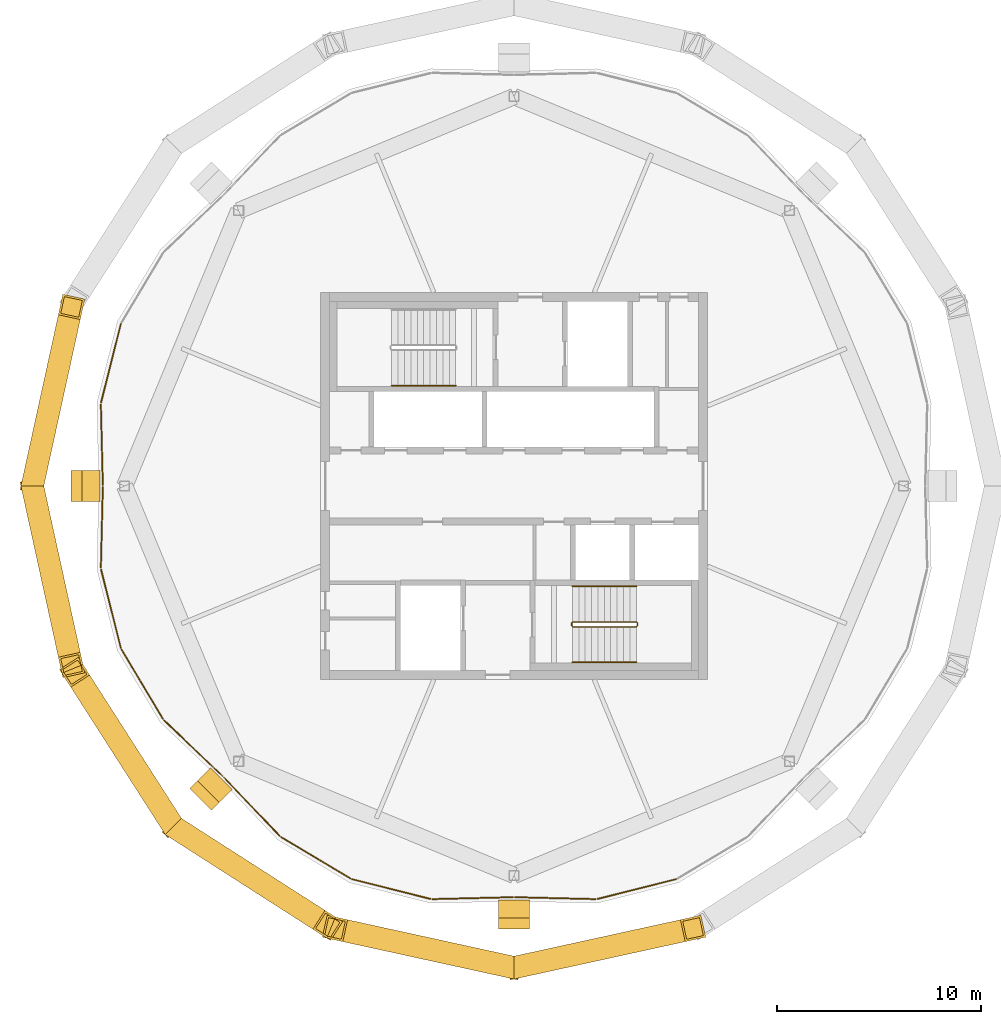
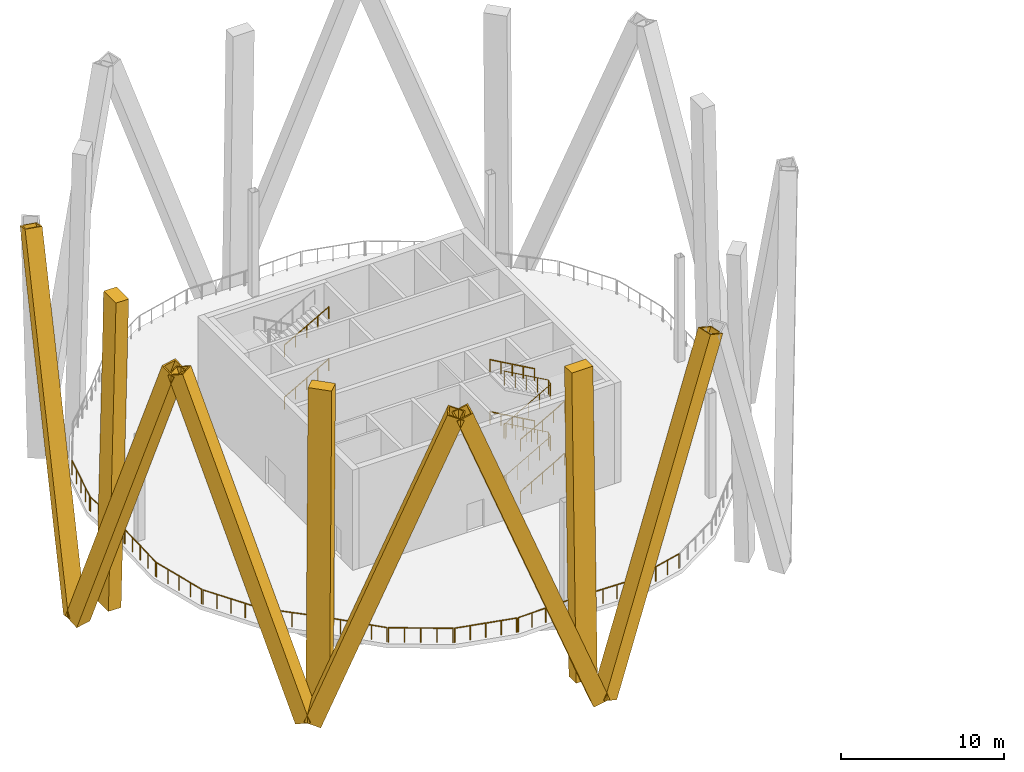
# One storey, part 9 of 13: 19 railings, 9 coverings.
"""IFC4 building model written with IfcOpenShell, lengths in metres."""

from ifc_helpers import new_model, si_unit, direction, frame, origin, origin_2d, place, context, subcontext, project, spatial, rectangle, hollow_rectangle, circle, extrude, material, material_profile, profile_set, type_object, element, save


model = new_model("IFC4")

# Units and contexts
model_context = context("Model", 3, precision=1e-05, world=origin(), true_north=direction((0.0, 1.0)))
body_context = subcontext(model_context, "Body", "Model", "MODEL_VIEW")
ifc_project = project(units=[si_unit("LENGTHUNIT", "METRE"), si_unit("AREAUNIT", "SQUARE_METRE"), si_unit("VOLUMEUNIT", "CUBIC_METRE"), si_unit("PLANEANGLEUNIT", "RADIAN"), si_unit("MASSUNIT", "GRAM", prefix="KILO")], contexts=[model_context])

# Site, building, storey
site_placement = place(None, origin())
site = spatial("IfcSite", under=ifc_project, at=site_placement, CompositionType="ELEMENT")
building_placement = place(site_placement, origin())
building = spatial("IfcBuilding", under=site, at=building_placement, Name="Ogive Gate Towers", CompositionType="ELEMENT")
storey_placement = place(building_placement, frame((0.0, 0.0, 221.10009765625)))
storey = spatial("IfcBuildingStorey", under=building, at=storey_placement, Name="L53", CompositionType="ELEMENT", Elevation=221.10009765625)

# Coverings
ifc_material_1 = material(Name="Pale metal aluminium", Category="aluminium")
ifc_material_profile_1 = material_profile(ifc_material_1, rectangle(XDim=1.5, YDim=0.89990234375, at=origin_2d()), Name="1500 x 900 pale metal aluminium")
ifc_profile_set_1 = profile_set([ifc_material_profile_1], Name="Pale metal aluminium")
covering_type_1 = type_object("IfcCoveringType", Name="Crease colonnette 1500 x 900", PredefinedType="CLADDING", material=ifc_profile_set_1)
for number, where, z_axis, x_axis, name in (
    (1, (-57.300048828125, 0.0, -4.10009765625), (0.023576037518, 0.0, 0.999722046598), (0.0, 1.0, 0.0), "Crease colonnette"),
    (2, (-51.061279296875, -15.061279296875, -4.10009765625), (0.016658843266, 0.016658843266, 0.999722444423), (-0.707106781187, 0.707106781187, 0.0), "Crease colonnette"),
    (3, (-36.0, -21.300048828125, -4.10009765625), (0.0, 0.023576037518, 0.999722046598), (-1.0, 0.0, 0.0), "Crease colonnette"),
):
    element("IfcCovering", number, at=place(storey_placement, frame(where, z_axis=z_axis, x_axis=x_axis)), inside=storey, type_object=covering_type_1, Name=name, PredefinedType="CLADDING", context=body_context, shape_type="SweptSolid", body=[
        extrude(rectangle(XDim=1.5, YDim=0.89990234375, at=origin_2d()), origin(), (0.0, 0.0, 1.0), 22.90625),
    ])
ifc_material_2 = material(Name="Pale metal aluminium cladding", Category="aluminium")
ifc_material_profile_2 = material_profile(ifc_material_2, hollow_rectangle(XDim=1.10009765625, YDim=1.10009765625, WallThickness=0.10009765625, at=origin_2d()), Name="1100 x 1100 pale metal casing")
ifc_profile_set_2 = profile_set([ifc_material_profile_2], Name="Pale metal aluminium cladding")
covering_type_2 = type_object("IfcCoveringType", Name="Diagrid casing 1100 x 1100", PredefinedType="CLADDING", material=ifc_profile_set_2)
for number, where, z_axis, x_axis, name in (
    (4, (-59.598388671875, 0.190185546875, -4.28564453125), (0.075666188723, 0.345556326789, 0.935342425479), (-0.976855297025, 0.21390121242, 0.0), "Diagrid casing"),
    (5, (-59.598388671875, -0.190185546875, -4.28564453125), (0.075666188723, -0.345556326789, 0.935342425479), (0.976855297025, 0.21390121242, 0.0), "Diagrid casing"),
    (6, (-52.821044921875, -16.55224609375, -4.28564453125), (-0.1908382324, 0.297856011223, 0.935340882049), (-0.842001268927, -0.539475544511, 0.0), "Diagrid casing"),
    (7, (-52.55224609375, -16.821044921875, -4.28564453125), (0.297856011223, -0.1908382324, 0.935340882049), (0.539475544511, 0.842001268927, 0.0), "Diagrid casing"),
    (8, (-36.190185546875, -23.598388671875, -4.28564453125), (-0.345556326789, 0.075666188723, 0.935342425479), (-0.21390121242, -0.976855297025, 0.0), "Diagrid casing"),
    (9, (-35.809814453125, -23.598388671875, -4.28564453125), (0.345556326789, 0.075666188723, 0.935342425479), (-0.21390121242, 0.976855297025, 0.0), "Diagrid casing"),
):
    element("IfcCovering", number, at=place(storey_placement, frame(where, z_axis=z_axis, x_axis=x_axis)), inside=storey, type_object=covering_type_2, Name=name, PredefinedType="CLADDING", context=body_context, shape_type="SweptSolid", body=[
        extrude(hollow_rectangle(XDim=1.10009765625, YDim=1.10009765625, WallThickness=0.10009765625, at=origin_2d()), origin(), (0.0, 0.0, 1.0), 24.8798828125),
    ])

# Railings
ifc_material_3 = material(Name="Stainless steel", Category="steel")
railing_type_1 = type_object("IfcRailingType", Name="Guard 1100", PredefinedType="GUARDRAIL", material=ifc_material_3)
railing_1_placement = place(storey_placement, frame((-55.30078125, 7.941162109375, 0.0)))
element("IfcRailing", 10, at=railing_1_placement, inside=storey, type_object=railing_type_1, Name="Wind floor guard", PredefinedType="GUARDRAIL", context=body_context, shape_type="SweptSolid", body=[
    extrude(circle(Radius=0.02392578125, at=origin_2d()), frame((0.0, 0.0, 1.076171875), z_axis=(-0.243710163723, -0.969848109808, 0.0), x_axis=(0.969848109808, -0.243710163723, 0.0)), (0.0, 0.0, 1.0), 3.9609375),
    extrude(circle(Radius=0.02099609375, at=origin_2d()), origin(), (0.0, 0.0, 1.0), 1.052001953125),
    extrude(circle(Radius=0.02099609375, at=origin_2d()), frame((-0.2412109375, -0.96044921875, 0.0)), (0.0, 0.0, 1.0), 1.052001953125),
    extrude(circle(Radius=0.02099609375, at=origin_2d()), frame((-0.482666015625, -1.9208984375, 0.0)), (0.0, 0.0, 1.0), 1.052001953125),
    extrude(circle(Radius=0.02099609375, at=origin_2d()), frame((-0.72412109375, -2.881103515625, 0.0)), (0.0, 0.0, 1.0), 1.052001953125),
    extrude(circle(Radius=0.02099609375, at=origin_2d()), frame((-0.96533203125, -3.841552734375, 0.0)), (0.0, 0.0, 1.0), 1.052001953125),
])
railing_2_placement = place(storey_placement, frame((-56.277099609375, 4.001220703125, 0.0)))
element("IfcRailing", 11, at=railing_2_placement, inside=storey, type_object=railing_type_1, Name="Wind floor guard", PredefinedType="GUARDRAIL", context=body_context, shape_type="SweptSolid", body=[
    extrude(circle(Radius=0.02392578125, at=origin_2d()), frame((0.0, 0.0, 1.076171875), z_axis=(0.024276086252, -0.999705292392, 0.0), x_axis=(0.999705292392, 0.024276086252, 0.0)), (0.0, 0.0, 1.0), 3.952392578125),
    extrude(circle(Radius=0.02099609375, at=origin_2d()), origin(), (0.0, 0.0, 1.0), 1.052001953125),
    extrude(circle(Radius=0.02099609375, at=origin_2d()), frame((0.02392578125, -0.98779296875, 0.0)), (0.0, 0.0, 1.0), 1.052001953125),
    extrude(circle(Radius=0.02099609375, at=origin_2d()), frame((0.0478515625, -1.9755859375, 0.0)), (0.0, 0.0, 1.0), 1.052001953125),
    extrude(circle(Radius=0.02099609375, at=origin_2d()), frame((0.072021484375, -2.96337890625, 0.0)), (0.0, 0.0, 1.0), 1.052001953125),
    extrude(circle(Radius=0.02099609375, at=origin_2d()), frame((0.095947265625, -3.951171875, 0.0)), (0.0, 0.0, 1.0), 1.052001953125),
])
railing_3_placement = place(storey_placement, frame((-56.18115234375, -0.050048828125, 0.0)))
element("IfcRailing", 12, at=railing_3_placement, inside=storey, type_object=railing_type_1, Name="Wind floor guard", PredefinedType="GUARDRAIL", context=body_context, shape_type="SweptSolid", body=[
    extrude(circle(Radius=0.02392578125, at=origin_2d()), frame((0.0, 0.0, 1.076171875), z_axis=(-0.024276086252, -0.999705292392, 0.0), x_axis=(0.999705292392, -0.024276086252, 0.0)), (0.0, 0.0, 1.0), 3.952392578125),
    extrude(circle(Radius=0.02099609375, at=origin_2d()), origin(), (0.0, 0.0, 1.0), 1.052001953125),
    extrude(circle(Radius=0.02099609375, at=origin_2d()), frame((-0.02392578125, -0.98779296875, 0.0)), (0.0, 0.0, 1.0), 1.052001953125),
    extrude(circle(Radius=0.02099609375, at=origin_2d()), frame((-0.0478515625, -1.9755859375, 0.0)), (0.0, 0.0, 1.0), 1.052001953125),
    extrude(circle(Radius=0.02099609375, at=origin_2d()), frame((-0.072021484375, -2.96337890625, 0.0)), (0.0, 0.0, 1.0), 1.052001953125),
    extrude(circle(Radius=0.02099609375, at=origin_2d()), frame((-0.095947265625, -3.951171875, 0.0)), (0.0, 0.0, 1.0), 1.052001953125),
])
railing_4_placement = place(storey_placement, frame((-56.26611328125, -4.099609375, 0.0)))
element("IfcRailing", 13, at=railing_4_placement, inside=storey, type_object=railing_type_1, Name="Wind floor guard", PredefinedType="GUARDRAIL", context=body_context, shape_type="SweptSolid", body=[
    extrude(circle(Radius=0.02392578125, at=origin_2d()), frame((0.0, 0.0, 1.076171875), z_axis=(0.243710163723, -0.969848109808, 0.0), x_axis=(0.969848109808, 0.243710163723, 0.0)), (0.0, 0.0, 1.0), 3.9609375),
    extrude(circle(Radius=0.02099609375, at=origin_2d()), origin(), (0.0, 0.0, 1.0), 1.052001953125),
    extrude(circle(Radius=0.02099609375, at=origin_2d()), frame((0.2412109375, -0.96044921875, 0.0)), (0.0, 0.0, 1.0), 1.052001953125),
    extrude(circle(Radius=0.02099609375, at=origin_2d()), frame((0.482666015625, -1.9208984375, 0.0)), (0.0, 0.0, 1.0), 1.052001953125),
    extrude(circle(Radius=0.02099609375, at=origin_2d()), frame((0.72412109375, -2.881103515625, 0.0)), (0.0, 0.0, 1.0), 1.052001953125),
    extrude(circle(Radius=0.02099609375, at=origin_2d()), frame((0.96533203125, -3.841552734375, 0.0)), (0.0, 0.0, 1.0), 1.052001953125),
])
railing_5_placement = place(storey_placement, frame((-55.262939453125, -8.032470703125, 0.0)))
element("IfcRailing", 14, at=railing_5_placement, inside=storey, type_object=railing_type_1, Name="Wind floor guard", PredefinedType="GUARDRAIL", context=body_context, shape_type="SweptSolid", body=[
    extrude(circle(Radius=0.02392578125, at=origin_2d()), frame((0.0, 0.0, 1.076171875), z_axis=(0.513489284672, -0.858096005426, 0.0), x_axis=(0.858096005426, 0.513489284672, 0.0)), (0.0, 0.0, 1.0), 3.9609375),
    extrude(circle(Radius=0.02099609375, at=origin_2d()), origin(), (0.0, 0.0, 1.0), 1.052001953125),
    extrude(circle(Radius=0.02099609375, at=origin_2d()), frame((0.508544921875, -0.849609375, 0.0)), (0.0, 0.0, 1.0), 1.052001953125),
    extrude(circle(Radius=0.02099609375, at=origin_2d()), frame((1.01708984375, -1.699462890625, 0.0)), (0.0, 0.0, 1.0), 1.052001953125),
    extrude(circle(Radius=0.02099609375, at=origin_2d()), frame((1.525390625, -2.54931640625, 0.0)), (0.0, 0.0, 1.0), 1.052001953125),
    extrude(circle(Radius=0.02099609375, at=origin_2d()), frame((2.033935546875, -3.39892578125, 0.0)), (0.0, 0.0, 1.0), 1.052001953125),
])
railing_6_placement = place(storey_placement, frame((-53.167236328125, -11.5087890625, 0.0)))
element("IfcRailing", 15, at=railing_6_placement, inside=storey, type_object=railing_type_1, Name="Wind floor guard", PredefinedType="GUARDRAIL", context=body_context, shape_type="SweptSolid", body=[
    extrude(circle(Radius=0.02392578125, at=origin_2d()), frame((0.0, 0.0, 1.076171875), z_axis=(0.724040967494, -0.689756969801, 0.0), x_axis=(0.689756969801, 0.724040967494, 0.0)), (0.0, 0.0, 1.0), 3.9521484375),
    extrude(circle(Radius=0.02099609375, at=origin_2d()), origin(), (0.0, 0.0, 1.0), 1.052001953125),
    extrude(circle(Radius=0.02099609375, at=origin_2d()), frame((0.71533203125, -0.681640625, 0.0)), (0.0, 0.0, 1.0), 1.052001953125),
    extrude(circle(Radius=0.02099609375, at=origin_2d()), frame((1.4306640625, -1.363037109375, 0.0)), (0.0, 0.0, 1.0), 1.052001953125),
    extrude(circle(Radius=0.02099609375, at=origin_2d()), frame((2.146240234375, -2.04443359375, 0.0)), (0.0, 0.0, 1.0), 1.052001953125),
    extrude(circle(Radius=0.02099609375, at=origin_2d()), frame((2.861572265625, -2.72607421875, 0.0)), (0.0, 0.0, 1.0), 1.052001953125),
])
railing_7_placement = place(storey_placement, frame((-50.23486328125, -14.3056640625, 0.0)))
element("IfcRailing", 16, at=railing_7_placement, inside=storey, type_object=railing_type_1, Name="Wind floor guard", PredefinedType="GUARDRAIL", context=body_context, shape_type="SweptSolid", body=[
    extrude(circle(Radius=0.02392578125, at=origin_2d()), frame((0.0, 0.0, 1.076171875), z_axis=(0.689756969801, -0.724040967494, 0.0), x_axis=(0.724040967494, 0.689756969801, 0.0)), (0.0, 0.0, 1.0), 3.9521484375),
    extrude(circle(Radius=0.02099609375, at=origin_2d()), origin(), (0.0, 0.0, 1.0), 1.052001953125),
    extrude(circle(Radius=0.02099609375, at=origin_2d()), frame((0.681640625, -0.71533203125, 0.0)), (0.0, 0.0, 1.0), 1.052001953125),
    extrude(circle(Radius=0.02099609375, at=origin_2d()), frame((1.363037109375, -1.4306640625, 0.0)), (0.0, 0.0, 1.0), 1.052001953125),
    extrude(circle(Radius=0.02099609375, at=origin_2d()), frame((2.04443359375, -2.146240234375, 0.0)), (0.0, 0.0, 1.0), 1.052001953125),
    extrude(circle(Radius=0.02099609375, at=origin_2d()), frame((2.72607421875, -2.861572265625, 0.0)), (0.0, 0.0, 1.0), 1.052001953125),
])
railing_8_placement = place(storey_placement, frame((-47.431396484375, -17.22900390625, 0.0)))
element("IfcRailing", 17, at=railing_8_placement, inside=storey, type_object=railing_type_1, Name="Wind floor guard", PredefinedType="GUARDRAIL", context=body_context, shape_type="SweptSolid", body=[
    extrude(circle(Radius=0.02392578125, at=origin_2d()), frame((0.0, 0.0, 1.076171875), z_axis=(0.858096005426, -0.513489284672, 0.0), x_axis=(0.513489284672, 0.858096005426, 0.0)), (0.0, 0.0, 1.0), 3.9609375),
    extrude(circle(Radius=0.02099609375, at=origin_2d()), origin(), (0.0, 0.0, 1.0), 1.052001953125),
    extrude(circle(Radius=0.02099609375, at=origin_2d()), frame((0.849609375, -0.508544921875, 0.0)), (0.0, 0.0, 1.0), 1.052001953125),
    extrude(circle(Radius=0.02099609375, at=origin_2d()), frame((1.699462890625, -1.01708984375, 0.0)), (0.0, 0.0, 1.0), 1.052001953125),
    extrude(circle(Radius=0.02099609375, at=origin_2d()), frame((2.54931640625, -1.525390625, 0.0)), (0.0, 0.0, 1.0), 1.052001953125),
    extrude(circle(Radius=0.02099609375, at=origin_2d()), frame((3.39892578125, -2.033935546875, 0.0)), (0.0, 0.0, 1.0), 1.052001953125),
])
railing_9_placement = place(storey_placement, frame((-43.941162109375, -19.30078125, 0.0)))
element("IfcRailing", 18, at=railing_9_placement, inside=storey, type_object=railing_type_1, Name="Wind floor guard", PredefinedType="GUARDRAIL", context=body_context, shape_type="SweptSolid", body=[
    extrude(circle(Radius=0.02392578125, at=origin_2d()), frame((0.0, 0.0, 1.076171875), z_axis=(0.969848109808, -0.243710163723, 0.0), x_axis=(0.243710163723, 0.969848109808, 0.0)), (0.0, 0.0, 1.0), 3.9609375),
    extrude(circle(Radius=0.02099609375, at=origin_2d()), origin(), (0.0, 0.0, 1.0), 1.052001953125),
    extrude(circle(Radius=0.02099609375, at=origin_2d()), frame((0.96044921875, -0.2412109375, 0.0)), (0.0, 0.0, 1.0), 1.052001953125),
    extrude(circle(Radius=0.02099609375, at=origin_2d()), frame((1.9208984375, -0.482666015625, 0.0)), (0.0, 0.0, 1.0), 1.052001953125),
    extrude(circle(Radius=0.02099609375, at=origin_2d()), frame((2.881103515625, -0.72412109375, 0.0)), (0.0, 0.0, 1.0), 1.052001953125),
    extrude(circle(Radius=0.02099609375, at=origin_2d()), frame((3.841552734375, -0.96533203125, 0.0)), (0.0, 0.0, 1.0), 1.052001953125),
])
railing_10_placement = place(storey_placement, frame((-40.001220703125, -20.277099609375, 0.0)))
element("IfcRailing", 19, at=railing_10_placement, inside=storey, type_object=railing_type_1, Name="Wind floor guard", PredefinedType="GUARDRAIL", context=body_context, shape_type="SweptSolid", body=[
    extrude(circle(Radius=0.02392578125, at=origin_2d()), frame((0.0, 0.0, 1.076171875), z_axis=(0.999705292392, 0.024276086252, 0.0), x_axis=(-0.024276086252, 0.999705292392, 0.0)), (0.0, 0.0, 1.0), 3.952392578125),
    extrude(circle(Radius=0.02099609375, at=origin_2d()), origin(), (0.0, 0.0, 1.0), 1.052001953125),
    extrude(circle(Radius=0.02099609375, at=origin_2d()), frame((0.98779296875, 0.02392578125, 0.0)), (0.0, 0.0, 1.0), 1.052001953125),
    extrude(circle(Radius=0.02099609375, at=origin_2d()), frame((1.9755859375, 0.0478515625, 0.0)), (0.0, 0.0, 1.0), 1.052001953125),
    extrude(circle(Radius=0.02099609375, at=origin_2d()), frame((2.96337890625, 0.072021484375, 0.0)), (0.0, 0.0, 1.0), 1.052001953125),
    extrude(circle(Radius=0.02099609375, at=origin_2d()), frame((3.951171875, 0.095947265625, 0.0)), (0.0, 0.0, 1.0), 1.052001953125),
])
railing_11_placement = place(storey_placement, frame((-35.949951171875, -20.18115234375, 0.0)))
element("IfcRailing", 20, at=railing_11_placement, inside=storey, type_object=railing_type_1, Name="Wind floor guard", PredefinedType="GUARDRAIL", context=body_context, shape_type="SweptSolid", body=[
    extrude(circle(Radius=0.02392578125, at=origin_2d()), frame((0.0, 0.0, 1.076171875), z_axis=(0.999705292392, -0.024276086252, 0.0), x_axis=(0.024276086252, 0.999705292392, 0.0)), (0.0, 0.0, 1.0), 3.952392578125),
    extrude(circle(Radius=0.02099609375, at=origin_2d()), origin(), (0.0, 0.0, 1.0), 1.052001953125),
    extrude(circle(Radius=0.02099609375, at=origin_2d()), frame((0.98779296875, -0.02392578125, 0.0)), (0.0, 0.0, 1.0), 1.052001953125),
    extrude(circle(Radius=0.02099609375, at=origin_2d()), frame((1.9755859375, -0.0478515625, 0.0)), (0.0, 0.0, 1.0), 1.052001953125),
    extrude(circle(Radius=0.02099609375, at=origin_2d()), frame((2.96337890625, -0.072021484375, 0.0)), (0.0, 0.0, 1.0), 1.052001953125),
    extrude(circle(Radius=0.02099609375, at=origin_2d()), frame((3.951171875, -0.095947265625, 0.0)), (0.0, 0.0, 1.0), 1.052001953125),
])
railing_12_placement = place(storey_placement, frame((-31.900390625, -20.26611328125, 0.0)))
element("IfcRailing", 21, at=railing_12_placement, inside=storey, type_object=railing_type_1, Name="Wind floor guard", PredefinedType="GUARDRAIL", context=body_context, shape_type="SweptSolid", body=[
    extrude(circle(Radius=0.02392578125, at=origin_2d()), frame((0.0, 0.0, 1.076171875), z_axis=(0.969848109808, 0.243710163723, 0.0), x_axis=(-0.243710163723, 0.969848109808, 0.0)), (0.0, 0.0, 1.0), 3.9609375),
    extrude(circle(Radius=0.02099609375, at=origin_2d()), origin(), (0.0, 0.0, 1.0), 1.052001953125),
    extrude(circle(Radius=0.02099609375, at=origin_2d()), frame((0.96044921875, 0.2412109375, 0.0)), (0.0, 0.0, 1.0), 1.052001953125),
    extrude(circle(Radius=0.02099609375, at=origin_2d()), frame((1.9208984375, 0.482666015625, 0.0)), (0.0, 0.0, 1.0), 1.052001953125),
    extrude(circle(Radius=0.02099609375, at=origin_2d()), frame((2.881103515625, 0.72412109375, 0.0)), (0.0, 0.0, 1.0), 1.052001953125),
    extrude(circle(Radius=0.02099609375, at=origin_2d()), frame((3.841552734375, 0.96533203125, 0.0)), (0.0, 0.0, 1.0), 1.052001953125),
])
railing_type_2 = type_object("IfcRailingType", Name="Stair guard 1100", PredefinedType="GUARDRAIL", material=ifc_material_3)
railing_13_placement = place(storey_placement, frame((-33.18505859375, -6.860107421875, 0.0)))
element("IfcRailing", 22, at=railing_13_placement, inside=storey, type_object=railing_type_2, Name="L53 ST2 stair guard 1", PredefinedType="GUARDRAIL", context=body_context, shape_type="SweptSolid", body=[
    extrude(circle(Radius=0.02392578125, at=origin_2d()), frame((0.0, 0.0, 1.076171875), z_axis=(0.0, 1.0, 0.0), x_axis=(-1.0, 0.0, 0.0)), (0.0, 0.0, 1.0), 0.14501953125),
    extrude(circle(Radius=0.02392578125, at=origin_2d()), frame((0.0, 0.14501953125, 1.076171875), z_axis=(0.186679794065, -0.726685247142, 0.661119660934), x_axis=(0.968551454522, 0.24881334358, 0.0)), (0.0, 0.0, 1.0), 0.26806640625),
    extrude(circle(Radius=0.02392578125, at=origin_2d()), frame((0.050048828125, -0.0498046875, 1.25341796875), z_axis=(0.870572935281, 0.0, 0.492039393094), x_axis=(0.0, 1.0, 0.0)), (0.0, 0.0, 1.0), 3.602783203125),
    extrude(circle(Radius=0.02392578125, at=origin_2d()), frame((3.1865234375, -0.0498046875, 3.02587890625), z_axis=(0.707106781187, 0.707106781187, 0.0), x_axis=(-0.707106781187, 0.707106781187, 0.0)), (0.0, 0.0, 1.0), 0.0703125),
    extrude(circle(Radius=0.02392578125, at=origin_2d()), frame((3.236328125, 0.0, 3.02587890625), z_axis=(0.0, 1.0, 0.0), x_axis=(-1.0, 0.0, 0.0)), (0.0, 0.0, 1.0), 0.14501953125),
    extrude(circle(Radius=0.02392578125, at=origin_2d()), frame((3.236328125, 0.14501953125, 3.02587890625), z_axis=(-0.261041864531, 0.262321481514, 0.929001929653), x_axis=(-0.708833529934, -0.705375805398, 0.0)), (0.0, 0.0, 1.0), 0.190673828125),
    extrude(circle(Radius=0.02392578125, at=origin_2d()), frame((3.1865234375, 0.195068359375, 3.203125), z_axis=(-0.870572935281, 0.0, 0.492039393094), x_axis=(0.0, -1.0, 0.0)), (0.0, 0.0, 1.0), 3.602783203125),
    extrude(circle(Radius=0.02392578125, at=origin_2d()), frame((0.050048828125, 0.195068359375, 4.97607421875), z_axis=(-0.248521182245, -0.96862646153, 0.0), x_axis=(0.96862646153, -0.248521182245, 0.0)), (0.0, 0.0, 1.0), 0.201416015625),
    extrude(circle(Radius=0.02392578125, at=origin_2d()), frame((0.0, 0.0, 4.97607421875), z_axis=(0.0, 1.0, 0.0), x_axis=(-1.0, 0.0, 0.0)), (0.0, 0.0, 1.0), 0.14501953125),
    extrude(circle(Radius=0.02392578125, at=origin_2d()), frame((0.0, 0.14501953125, 4.97607421875), z_axis=(0.186679794065, -0.726685247142, 0.661119660934), x_axis=(0.968551454522, 0.24881334358, 0.0)), (0.0, 0.0, 1.0), 0.26806640625),
    extrude(circle(Radius=0.02392578125, at=origin_2d()), frame((0.050048828125, -0.0498046875, 5.1533203125), z_axis=(0.870572935281, 0.0, 0.492039393094), x_axis=(0.0, 1.0, 0.0)), (0.0, 0.0, 1.0), 3.602783203125),
    extrude(circle(Radius=0.02392578125, at=origin_2d()), frame((3.1865234375, -0.0498046875, 6.92578125), z_axis=(0.707106781187, 0.707106781187, 0.0), x_axis=(-0.707106781187, 0.707106781187, 0.0)), (0.0, 0.0, 1.0), 0.0703125),
    extrude(circle(Radius=0.02392578125, at=origin_2d()), frame((3.236328125, 0.0, 6.92578125), z_axis=(0.0, 1.0, 0.0), x_axis=(-1.0, 0.0, 0.0)), (0.0, 0.0, 1.0), 0.14501953125),
    extrude(circle(Radius=0.02392578125, at=origin_2d()), frame((3.236328125, 0.14501953125, 6.92578125), z_axis=(-0.261041864531, 0.262321481514, 0.929001929653), x_axis=(-0.708833529934, -0.705375805398, 0.0)), (0.0, 0.0, 1.0), 0.190673828125),
    extrude(circle(Radius=0.02392578125, at=origin_2d()), frame((3.1865234375, 0.195068359375, 7.10302734375), z_axis=(-0.870572935281, 0.0, 0.492039393094), x_axis=(0.0, -1.0, 0.0)), (0.0, 0.0, 1.0), 3.602783203125),
    extrude(circle(Radius=0.02099609375, at=origin_2d()), origin(), (0.0, 0.0, 1.0), 1.052001953125),
    extrude(circle(Radius=0.02099609375, at=origin_2d()), frame((0.0, 0.14501953125, 0.0)), (0.0, 0.0, 1.0), 1.052001953125),
    extrude(circle(Radius=0.02099609375, at=origin_2d()), frame((0.050048828125, -0.0498046875, 0.17724609375)), (0.0, 0.0, 1.0), 1.052001953125),
    extrude(circle(Radius=0.02099609375, at=origin_2d()), frame((0.834228515625, -0.0498046875, 0.620361328125)), (0.0, 0.0, 1.0), 1.052001953125),
    extrude(circle(Radius=0.02099609375, at=origin_2d()), frame((1.6181640625, -0.0498046875, 1.0634765625)), (0.0, 0.0, 1.0), 1.052001953125),
    extrude(circle(Radius=0.02099609375, at=origin_2d()), frame((2.40234375, -0.0498046875, 1.5068359375)), (0.0, 0.0, 1.0), 1.052001953125),
    extrude(circle(Radius=0.02099609375, at=origin_2d()), frame((3.1865234375, -0.0498046875, 1.949951171875)), (0.0, 0.0, 1.0), 1.052001953125),
    extrude(circle(Radius=0.02099609375, at=origin_2d()), frame((3.236328125, 0.0, 1.949951171875)), (0.0, 0.0, 1.0), 1.052001953125),
    extrude(circle(Radius=0.02099609375, at=origin_2d()), frame((3.236328125, 0.14501953125, 1.949951171875)), (0.0, 0.0, 1.0), 1.052001953125),
    extrude(circle(Radius=0.02099609375, at=origin_2d()), frame((3.1865234375, 0.195068359375, 2.127197265625)), (0.0, 0.0, 1.0), 1.052001953125),
    extrude(circle(Radius=0.02099609375, at=origin_2d()), frame((2.40234375, 0.195068359375, 2.5703125)), (0.0, 0.0, 1.0), 1.052001953125),
    extrude(circle(Radius=0.02099609375, at=origin_2d()), frame((1.6181640625, 0.195068359375, 3.013671875)), (0.0, 0.0, 1.0), 1.052001953125),
    extrude(circle(Radius=0.02099609375, at=origin_2d()), frame((0.834228515625, 0.195068359375, 3.456787109375)), (0.0, 0.0, 1.0), 1.052001953125),
    extrude(circle(Radius=0.02099609375, at=origin_2d()), frame((0.050048828125, 0.195068359375, 3.89990234375)), (0.0, 0.0, 1.0), 1.052001953125),
    extrude(circle(Radius=0.02099609375, at=origin_2d()), frame((0.0, 0.0, 3.89990234375)), (0.0, 0.0, 1.0), 1.052001953125),
    extrude(circle(Radius=0.02099609375, at=origin_2d()), frame((0.0, 0.14501953125, 3.89990234375)), (0.0, 0.0, 1.0), 1.052001953125),
    extrude(circle(Radius=0.02099609375, at=origin_2d()), frame((0.050048828125, -0.0498046875, 4.0771484375)), (0.0, 0.0, 1.0), 1.052001953125),
    extrude(circle(Radius=0.02099609375, at=origin_2d()), frame((0.834228515625, -0.0498046875, 4.520263671875)), (0.0, 0.0, 1.0), 1.052001953125),
    extrude(circle(Radius=0.02099609375, at=origin_2d()), frame((1.6181640625, -0.0498046875, 4.96337890625)), (0.0, 0.0, 1.0), 1.052001953125),
    extrude(circle(Radius=0.02099609375, at=origin_2d()), frame((2.40234375, -0.0498046875, 5.40673828125)), (0.0, 0.0, 1.0), 1.052001953125),
    extrude(circle(Radius=0.02099609375, at=origin_2d()), frame((3.1865234375, -0.0498046875, 5.849853515625)), (0.0, 0.0, 1.0), 1.052001953125),
    extrude(circle(Radius=0.02099609375, at=origin_2d()), frame((3.236328125, 0.0, 5.849853515625)), (0.0, 0.0, 1.0), 1.052001953125),
    extrude(circle(Radius=0.02099609375, at=origin_2d()), frame((3.236328125, 0.14501953125, 5.849853515625)), (0.0, 0.0, 1.0), 1.052001953125),
    extrude(circle(Radius=0.02099609375, at=origin_2d()), frame((3.1865234375, 0.195068359375, 6.027099609375)), (0.0, 0.0, 1.0), 1.052001953125),
    extrude(circle(Radius=0.02099609375, at=origin_2d()), frame((2.40234375, 0.195068359375, 6.47021484375)), (0.0, 0.0, 1.0), 1.052001953125),
    extrude(circle(Radius=0.02099609375, at=origin_2d()), frame((1.6181640625, 0.195068359375, 6.91357421875)), (0.0, 0.0, 1.0), 1.052001953125),
    extrude(circle(Radius=0.02099609375, at=origin_2d()), frame((0.834228515625, 0.195068359375, 7.356689453125)), (0.0, 0.0, 1.0), 1.052001953125),
    extrude(circle(Radius=0.02099609375, at=origin_2d()), frame((0.050048828125, 0.195068359375, 7.7998046875)), (0.0, 0.0, 1.0), 1.052001953125),
])
railing_type_3 = type_object("IfcRailingType", Name="Stair handrail 900", PredefinedType="HANDRAIL", material=ifc_material_3)
for number, where, name in (
    (23, (-42.00146484375, 4.925048828125, 2.127197265625), "L53 ST1 stair handrail 2"),
    (24, (-42.00146484375, 4.925048828125, 6.027099609375), "L53 ST1 stair handrail 4"),
    (25, (-33.135009765625, -8.64990234375, 0.17724609375), "L53 ST2 stair handrail 1"),
):
    element("IfcRailing", number, at=place(storey_placement, frame(where)), inside=storey, type_object=railing_type_3, Name=name, PredefinedType="HANDRAIL", context=body_context, shape_type="SweptSolid", body=[
        extrude(circle(Radius=0.02392578125, at=origin_2d()), frame((0.0, 0.0, 0.8759765625), z_axis=(0.870572935281, 0.0, 0.492039393094), x_axis=(0.0, 1.0, 0.0)), (0.0, 0.0, 1.0), 3.602783203125),
        extrude(circle(Radius=0.02099609375, at=origin_2d()), origin(), (0.0, 0.0, 1.0), 0.851806640625),
        extrude(circle(Radius=0.02099609375, at=origin_2d()), frame((0.7841796875, 0.0, 0.443115234375)), (0.0, 0.0, 1.0), 0.851806640625),
        extrude(circle(Radius=0.02099609375, at=origin_2d()), frame((1.568359375, 0.0, 0.88623046875)), (0.0, 0.0, 1.0), 0.851806640625),
        extrude(circle(Radius=0.02099609375, at=origin_2d()), frame((2.352294921875, 0.0, 1.32958984375)), (0.0, 0.0, 1.0), 0.851806640625),
        extrude(circle(Radius=0.02099609375, at=origin_2d()), frame((3.136474609375, 0.0, 1.772705078125)), (0.0, 0.0, 1.0), 0.851806640625),
    ])
railing_14_placement = place(storey_placement, frame((-29.99853515625, -4.925048828125, 2.127197265625)))
element("IfcRailing", 26, at=railing_14_placement, inside=storey, type_object=railing_type_3, Name="L53 ST2 stair handrail 2", PredefinedType="HANDRAIL", context=body_context, shape_type="SweptSolid", body=[
    extrude(circle(Radius=0.02392578125, at=origin_2d()), frame((0.0, 0.0, 0.8759765625), z_axis=(-0.870572935281, 0.0, 0.492039393094), x_axis=(0.0, -1.0, 0.0)), (0.0, 0.0, 1.0), 3.602783203125),
    extrude(circle(Radius=0.02099609375, at=origin_2d()), origin(), (0.0, 0.0, 1.0), 0.851806640625),
    extrude(circle(Radius=0.02099609375, at=origin_2d()), frame((-0.7841796875, 0.0, 0.443115234375)), (0.0, 0.0, 1.0), 0.851806640625),
    extrude(circle(Radius=0.02099609375, at=origin_2d()), frame((-1.568359375, 0.0, 0.88623046875)), (0.0, 0.0, 1.0), 0.851806640625),
    extrude(circle(Radius=0.02099609375, at=origin_2d()), frame((-2.352294921875, 0.0, 1.32958984375)), (0.0, 0.0, 1.0), 0.851806640625),
    extrude(circle(Radius=0.02099609375, at=origin_2d()), frame((-3.136474609375, 0.0, 1.772705078125)), (0.0, 0.0, 1.0), 0.851806640625),
])
railing_15_placement = place(storey_placement, frame((-33.135009765625, -8.64990234375, 4.0771484375)))
element("IfcRailing", 27, at=railing_15_placement, inside=storey, type_object=railing_type_3, Name="L53 ST2 stair handrail 3", PredefinedType="HANDRAIL", context=body_context, shape_type="SweptSolid", body=[
    extrude(circle(Radius=0.02392578125, at=origin_2d()), frame((0.0, 0.0, 0.8759765625), z_axis=(0.870572935281, 0.0, 0.492039393094), x_axis=(0.0, 1.0, 0.0)), (0.0, 0.0, 1.0), 3.602783203125),
    extrude(circle(Radius=0.02099609375, at=origin_2d()), origin(), (0.0, 0.0, 1.0), 0.851806640625),
    extrude(circle(Radius=0.02099609375, at=origin_2d()), frame((0.7841796875, 0.0, 0.443115234375)), (0.0, 0.0, 1.0), 0.851806640625),
    extrude(circle(Radius=0.02099609375, at=origin_2d()), frame((1.568359375, 0.0, 0.88623046875)), (0.0, 0.0, 1.0), 0.851806640625),
    extrude(circle(Radius=0.02099609375, at=origin_2d()), frame((2.352294921875, 0.0, 1.32958984375)), (0.0, 0.0, 1.0), 0.851806640625),
    extrude(circle(Radius=0.02099609375, at=origin_2d()), frame((3.136474609375, 0.0, 1.772705078125)), (0.0, 0.0, 1.0), 0.851806640625),
])
railing_16_placement = place(storey_placement, frame((-29.99853515625, -4.925048828125, 6.027099609375)))
element("IfcRailing", 28, at=railing_16_placement, inside=storey, type_object=railing_type_3, Name="L53 ST2 stair handrail 4", PredefinedType="HANDRAIL", context=body_context, shape_type="SweptSolid", body=[
    extrude(circle(Radius=0.02392578125, at=origin_2d()), frame((0.0, 0.0, 0.8759765625), z_axis=(-0.870572935281, 0.0, 0.492039393094), x_axis=(0.0, -1.0, 0.0)), (0.0, 0.0, 1.0), 3.602783203125),
    extrude(circle(Radius=0.02099609375, at=origin_2d()), origin(), (0.0, 0.0, 1.0), 0.851806640625),
    extrude(circle(Radius=0.02099609375, at=origin_2d()), frame((-0.7841796875, 0.0, 0.443115234375)), (0.0, 0.0, 1.0), 0.851806640625),
    extrude(circle(Radius=0.02099609375, at=origin_2d()), frame((-1.568359375, 0.0, 0.88623046875)), (0.0, 0.0, 1.0), 0.851806640625),
    extrude(circle(Radius=0.02099609375, at=origin_2d()), frame((-2.352294921875, 0.0, 1.32958984375)), (0.0, 0.0, 1.0), 0.851806640625),
    extrude(circle(Radius=0.02099609375, at=origin_2d()), frame((-3.136474609375, 0.0, 1.772705078125)), (0.0, 0.0, 1.0), 0.851806640625),
])

save(model, "model.ifc")
